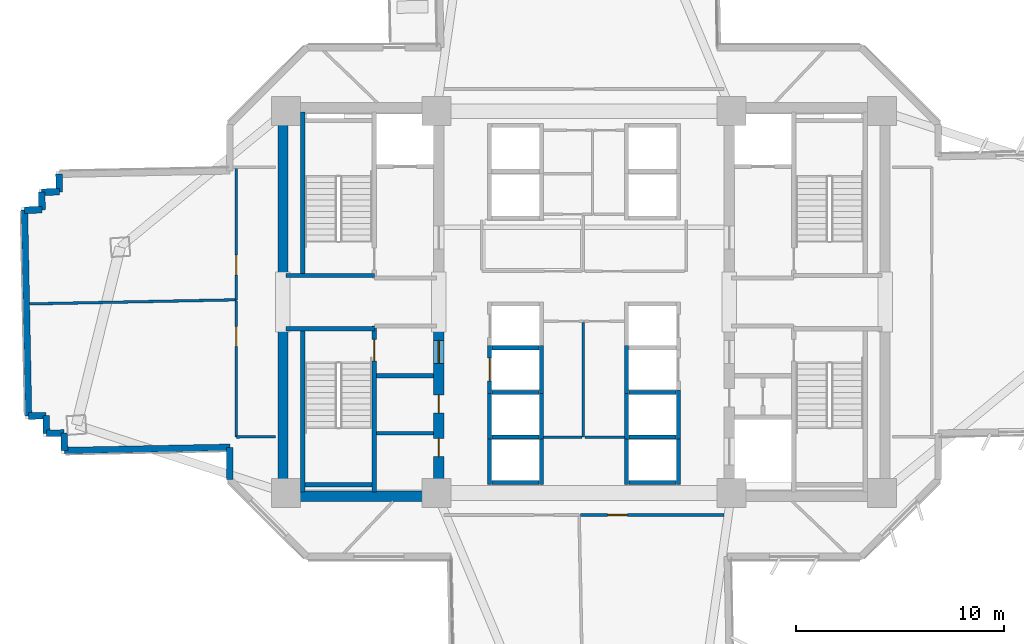
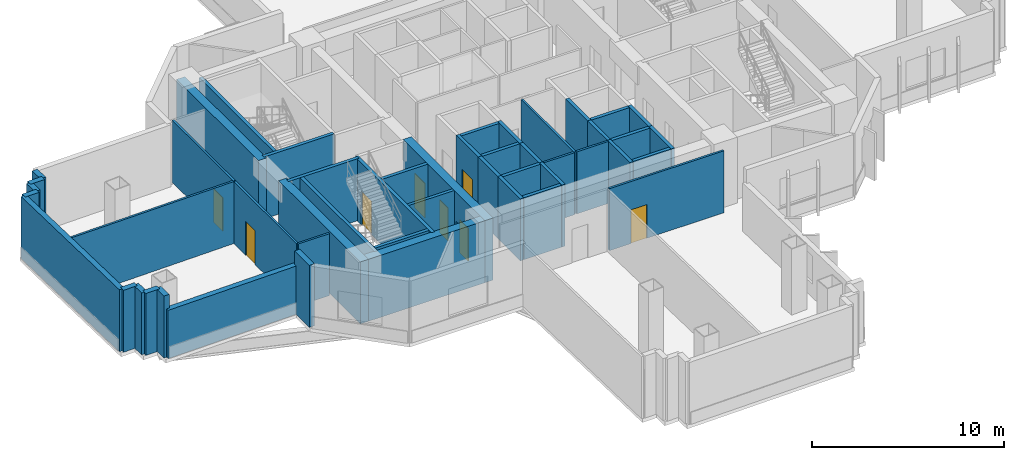
# One storey, part 6 of 15: 49 walls, 8 doors, 8 openings.
"""IFC4 building model written with IfcOpenShell, lengths in metres."""

from ifc_helpers import new_model, si_unit, direction, frame, frame_2d, origin, place, context, subcontext, project, spatial, rectangle, extrude, source, transform, mapped, material, layer, layer_set, type_object, element, fill, save


model = new_model("IFC4")

# Units and contexts
model_context = context("Model", 3, precision=1e-05, world=origin(), true_north=direction((0.0, 1.0)))
body_context = subcontext(model_context, "Body", "Model", "MODEL_VIEW")
ifc_project = project(units=[si_unit("LENGTHUNIT", "METRE"), si_unit("AREAUNIT", "SQUARE_METRE"), si_unit("VOLUMEUNIT", "CUBIC_METRE"), si_unit("PLANEANGLEUNIT", "RADIAN"), si_unit("MASSUNIT", "GRAM", prefix="KILO")], contexts=[model_context])

# Site, building, storey
site_placement = place(None, origin())
site = spatial("IfcSite", under=ifc_project, at=site_placement, CompositionType="ELEMENT")
building_placement = place(site_placement, origin())
building = spatial("IfcBuilding", under=site, at=building_placement, Name="Zahravan Cultural Tower", CompositionType="ELEMENT")
storey_placement = place(building_placement, frame((0.0, 0.0, 45.89990234375)))
storey = spatial("IfcBuildingStorey", under=building, at=storey_placement, Name="L09", CompositionType="ELEMENT", Elevation=45.89990234375)

# Wall, openings, doors
ifc_material_1 = material(Name="Concrete C60/75", Category="concrete")
ifc_layer_1 = layer(ifc_material_1, 0.5)
ifc_layer_set_1 = layer_set([ifc_layer_1], Name="Concrete C60/75")
wall_type_1 = type_object("IfcWallType", Name="CW-SHEAR-500-C60", PredefinedType="SHEAR", material=ifc_layer_set_1)
wall_1_placement = place(storey_placement, frame((29.0, 17.39990234375, 0.0), z_axis=(0.0, 0.0, 1.0), x_axis=(0.0, 1.0, 0.0)))
wall_1 = element("IfcWall", 1, at=wall_1_placement, inside=storey, type_object=wall_type_1, Name="L09 Core Shear Wall CW-W-ES-L09", PredefinedType="SHEAR", context=body_context, shape_type="SweptSolid", body=[
    extrude(rectangle(XDim=8.550048828125, YDim=0.5, at=frame_2d((4.27490234375, 0.0))), origin(), (0.0, 0.0, 1.0), 3.9501953125),
])
opening_1_placement = place(wall_1_placement, frame((6.64990234375, 0.0, 0.0)))
opening_1 = element("IfcOpeningElement", 2, at=opening_1_placement, cuts=wall_1, Name="Opening D-L09-07", PredefinedType="OPENING", context=body_context, shape_type="SweptSolid", body=[
    extrude(rectangle(XDim=1.10009765625, YDim=2.199951171875, at=frame_2d((0.550048828125, 1.10009765625))), frame((0.0, 0.260009765625, 0.0), z_axis=(0.0, -1.0, 0.0), x_axis=(1.0, 0.0, 0.0)), (0.0, 0.0, 1.0), 0.52001953125),
])
opening_2_placement = place(wall_1_placement, frame((2.14990234375, 0.0, 0.0)))
opening_2 = element("IfcOpeningElement", 3, at=opening_2_placement, cuts=wall_1, Name="Opening D-L09-09", PredefinedType="OPENING", context=body_context, shape_type="SweptSolid", body=[
    extrude(rectangle(XDim=0.8798828125, YDim=2.10009765625, at=frame_2d((0.43994140625, 1.050048828125))), frame((0.0, 0.260009765625, 0.0), z_axis=(0.0, -1.0, 0.0), x_axis=(1.0, 0.0, 0.0)), (0.0, 0.0, 1.0), 0.52001953125),
])
opening_3_placement = place(wall_1_placement, frame((4.25, 0.0, 0.0)))
opening_3 = element("IfcOpeningElement", 4, at=opening_3_placement, cuts=wall_1, Name="Opening D-L09-10", PredefinedType="OPENING", context=body_context, shape_type="SweptSolid", body=[
    extrude(rectangle(XDim=0.8798828125, YDim=2.10009765625, at=frame_2d((0.43994140625, 1.050048828125))), frame((0.0, 0.260009765625, 0.0), z_axis=(0.0, -1.0, 0.0), x_axis=(1.0, 0.0, 0.0)), (0.0, 0.0, 1.0), 0.52001953125),
])
ifc_material_2 = material(Name="Steel ASTM A572 Grade 50", Category="steel")
door_type_1 = type_object("IfcDoorType", Name="DR-LOBBY-1100", OperationType="NOTDEFINED", PredefinedType="DOOR", material=ifc_material_2)
shared_shape_1 = source(origin(), body_context, "Body", "SweptSolid", [
    extrude(rectangle(XDim=1.10009765625, YDim=2.199951171875, at=frame_2d((0.550048828125, 1.10009765625))), frame((0.0, 0.02490234375, 0.0), z_axis=(0.0, -1.0, 0.0), x_axis=(1.0, 0.0, 0.0)), (0.0, 0.0, 1.0), 0.050048828125),
])
door_1_placement = place(opening_1_placement, origin())
door_1 = element("IfcDoor", 5, at=door_1_placement, inside=storey, type_object=door_type_1, Name="L09 Door D-L09-07", OperationType="SINGLE_SWING_LEFT", OverallHeight=2.199951171875, OverallWidth=1.10009765625, PredefinedType="DOOR", context=body_context, shape_type="MappedRepresentation", body=[
    mapped(shared_shape_1, transform((0.0, 0.0, 0.0), x_axis=(1.0, 0.0, 0.0), y_axis=(0.0, 1.0, 0.0), z_axis=(0.0, 0.0, 1.0), scale=1.0)),
])
fill(opening_1, door_1)
door_type_2 = type_object("IfcDoorType", Name="DR-SVC-880", OperationType="NOTDEFINED", PredefinedType="DOOR", material=ifc_material_2)
shared_shape_2 = source(origin(), body_context, "Body", "SweptSolid", [
    extrude(rectangle(XDim=0.8798828125, YDim=2.10009765625, at=frame_2d((0.43994140625, 1.050048828125))), frame((0.0, 0.02490234375, 0.0), z_axis=(0.0, -1.0, 0.0), x_axis=(1.0, 0.0, 0.0)), (0.0, 0.0, 1.0), 0.050048828125),
])
door_2_placement = place(opening_2_placement, origin())
door_2 = element("IfcDoor", 6, at=door_2_placement, inside=storey, type_object=door_type_2, Name="L09 Door D-L09-09", OperationType="SINGLE_SWING_LEFT", OverallHeight=2.10009765625, OverallWidth=0.8798828125, PredefinedType="DOOR", context=body_context, shape_type="MappedRepresentation", body=[
    mapped(shared_shape_2, transform((0.0, 0.0, 0.0), x_axis=(1.0, 0.0, 0.0), y_axis=(0.0, 1.0, 0.0), z_axis=(0.0, 0.0, 1.0), scale=1.0)),
])
fill(opening_2, door_2)
door_3_placement = place(opening_3_placement, origin())
door_3 = element("IfcDoor", 7, at=door_3_placement, inside=storey, type_object=door_type_2, Name="L09 Door D-L09-10", OperationType="SINGLE_SWING_RIGHT", OverallHeight=2.10009765625, OverallWidth=0.8798828125, PredefinedType="DOOR", context=body_context, shape_type="MappedRepresentation", body=[
    mapped(shared_shape_2, transform((0.0, 0.0, 0.0), x_axis=(1.0, 0.0, 0.0), y_axis=(0.0, 1.0, 0.0), z_axis=(0.0, 0.0, 1.0), scale=1.0)),
])
fill(opening_3, door_3)

# Wall, opening, door
ifc_material_3 = material(Name="Gypsum plasterboard partition")
ifc_layer_2 = layer(ifc_material_3, 0.125)
ifc_layer_set_2 = layer_set([ifc_layer_2], Name="Gypsum plasterboard partition")
wall_type_2 = type_object("IfcWallType", Name="W-PART-125", PredefinedType="PARTITIONING", material=ifc_layer_set_2)
wall_2_placement = place(storey_placement, frame((19.25048828125, 33.496337890625, 0.0), z_axis=(0.0, 0.0, 1.0), x_axis=(-7.6417545e-05, -0.99999999708, 0.0)))
wall_2 = element("IfcWall", 8, at=wall_2_placement, inside=storey, type_object=wall_type_2, Name="L09 Interior Wall 085", PredefinedType="PARTITIONING", context=body_context, shape_type="SweptSolid", body=[
    extrude(rectangle(XDim=6.3896484375, YDim=0.125, at=frame_2d((3.19482421875, 0.0))), origin(), (0.0, 0.0, 1.0), 3.9501953125),
])
opening_4_placement = place(wall_2_placement, frame((4.242919921875, 0.0, 0.0)))
opening_4 = element("IfcOpeningElement", 9, at=opening_4_placement, cuts=wall_2, Name="Opening D-L09-21", PredefinedType="OPENING", context=body_context, shape_type="SweptSolid", body=[
    extrude(rectangle(XDim=0.949951171875, YDim=2.14990234375, at=frame_2d((0.47509765625, 1.074951171875))), frame((0.0, 0.072509765625, 0.0), z_axis=(0.0, -1.0, 0.0), x_axis=(1.0, 0.0, 0.0)), (0.0, 0.0, 1.0), 0.14501953125),
])
ifc_material_4 = material(Name="Anodised bronze-aluminium mullion", Category="aluminium")
door_type_3 = type_object("IfcDoorType", Name="DR-ROOM-950", OperationType="NOTDEFINED", PredefinedType="DOOR", material=ifc_material_4)
shared_shape_3 = source(origin(), body_context, "Body", "SweptSolid", [
    extrude(rectangle(XDim=0.949951171875, YDim=2.14990234375, at=frame_2d((0.47509765625, 1.074951171875))), frame((0.0, 0.02490234375, 0.0), z_axis=(0.0, -1.0, 0.0), x_axis=(1.0, 0.0, 0.0)), (0.0, 0.0, 1.0), 0.050048828125),
])
door_4_placement = place(opening_4_placement, origin())
door_4 = element("IfcDoor", 10, at=door_4_placement, inside=storey, type_object=door_type_3, Name="L09 Door D-L09-21", OperationType="SINGLE_SWING_LEFT", OverallHeight=2.14990234375, OverallWidth=0.949951171875, PredefinedType="DOOR", context=body_context, shape_type="MappedRepresentation", body=[
    mapped(shared_shape_3, transform((0.0, 0.0, 0.0), x_axis=(1.0, 0.0, 0.0), y_axis=(0.0, 1.0, 0.0), z_axis=(0.0, 0.0, 1.0), scale=1.0)),
])
fill(opening_4, door_4)

wall_3_placement = place(storey_placement, frame((19.25, 27.039306640625, 0.0), z_axis=(0.0, 0.0, 1.0), x_axis=(0.0, -1.0, 0.0)))
wall_3 = element("IfcWall", 11, at=wall_3_placement, inside=storey, type_object=wall_type_2, Name="L09 Interior Wall 090", PredefinedType="PARTITIONING", context=body_context, shape_type="SweptSolid", body=[
    extrude(rectangle(XDim=6.533447265625, YDim=0.125, at=frame_2d((3.2666015625, 0.0))), origin(), (0.0, 0.0, 1.0), 3.9501953125),
])
opening_5_placement = place(wall_3_placement, frame((1.228271484375, 0.0, 0.0)))
opening_5 = element("IfcOpeningElement", 12, at=opening_5_placement, cuts=wall_3, Name="Opening D-L09-22", PredefinedType="OPENING", context=body_context, shape_type="SweptSolid", body=[
    extrude(rectangle(XDim=0.949951171875, YDim=2.14990234375, at=frame_2d((0.47509765625, 1.074951171875))), frame((0.0, 0.072509765625, 0.0), z_axis=(0.0, -1.0, 0.0), x_axis=(1.0, 0.0, 0.0)), (0.0, 0.0, 1.0), 0.14501953125),
])
door_5_placement = place(opening_5_placement, origin())
door_5 = element("IfcDoor", 13, at=door_5_placement, inside=storey, type_object=door_type_3, Name="L09 Door D-L09-22", OperationType="SINGLE_SWING_RIGHT", OverallHeight=2.14990234375, OverallWidth=0.949951171875, PredefinedType="DOOR", context=body_context, shape_type="MappedRepresentation", body=[
    mapped(shared_shape_3, transform((0.0, 0.0, 0.0), x_axis=(1.0, 0.0, 0.0), y_axis=(0.0, 1.0, 0.0), z_axis=(0.0, 0.0, 1.0), scale=1.0)),
])
fill(opening_5, door_5)

wall_4_placement = place(storey_placement, frame((35.83154296875, 16.739990234375, 0.0), z_axis=(0.0, 0.0, 1.0), x_axis=(0.999999999376, 3.5326951e-05, 0.0)))
wall_4 = element("IfcWall", 14, at=wall_4_placement, inside=storey, type_object=wall_type_2, Name="L09 Interior Wall 096", PredefinedType="PARTITIONING", context=body_context, shape_type="SweptSolid", body=[
    extrude(rectangle(XDim=6.910888671875, YDim=0.125, at=frame_2d((3.45556640625, 0.0))), origin(), (0.0, 0.0, 1.0), 3.9501953125),
])
opening_6_placement = place(wall_4_placement, frame((1.311279296875, 0.0, 0.0)))
opening_6 = element("IfcOpeningElement", 15, at=opening_6_placement, cuts=wall_4, Name="Opening D-L09-24", PredefinedType="OPENING", context=body_context, shape_type="SweptSolid", body=[
    extrude(rectangle(XDim=0.949951171875, YDim=2.14990234375, at=frame_2d((0.47509765625, 1.074951171875))), frame((0.0, 0.072509765625, 0.0), z_axis=(0.0, -1.0, 0.0), x_axis=(1.0, 0.0, 0.0)), (0.0, 0.0, 1.0), 0.14501953125),
])
door_6_placement = place(opening_6_placement, origin())
door_6 = element("IfcDoor", 16, at=door_6_placement, inside=storey, type_object=door_type_3, Name="L09 Door D-L09-24", OperationType="SINGLE_SWING_RIGHT", OverallHeight=2.14990234375, OverallWidth=0.949951171875, PredefinedType="DOOR", context=body_context, shape_type="MappedRepresentation", body=[
    mapped(shared_shape_3, transform((0.0, 0.0, 0.0), x_axis=(1.0, 0.0, 0.0), y_axis=(0.0, 1.0, 0.0), z_axis=(0.0, 0.0, 1.0), scale=1.0)),
])
fill(opening_6, door_6)

ifc_material_5 = material(Name="Concrete C45/55", Category="concrete")
ifc_layer_3 = layer(ifc_material_5, 0.199951171875)
ifc_layer_set_3 = layer_set([ifc_layer_3], Name="Concrete C45/55")
wall_type_3 = type_object("IfcWallType", Name="W-SHAFT-200", PredefinedType="SOLIDWALL", material=ifc_layer_set_3)
wall_5_placement = place(storey_placement, frame((25.89990234375, 17.85009765625, 0.0), z_axis=(0.0, 0.0, 1.0), x_axis=(0.0, 1.0, 0.0)))
wall_5 = element("IfcWall", 17, at=wall_5_placement, inside=storey, type_object=wall_type_3, Name="L09 Interior Wall 005", PredefinedType="SOLIDWALL", context=body_context, shape_type="SweptSolid", body=[
    extrude(rectangle(XDim=8.0, YDim=0.199951171875, at=frame_2d((4.0, 0.0))), origin(), (0.0, 0.0, 1.0), 3.9501953125),
])
opening_7_placement = place(wall_5_placement, frame((6.300048828125, 0.0, 0.0)))
opening_7 = element("IfcOpeningElement", 18, at=opening_7_placement, cuts=wall_5, Name="Opening D-L09-04", PredefinedType="OPENING", context=body_context, shape_type="SweptSolid", body=[
    extrude(rectangle(XDim=1.050048828125, YDim=2.14990234375, at=frame_2d((0.52490234375, 1.074951171875))), frame((0.0, 0.10986328125, 0.0), z_axis=(0.0, -1.0, 0.0), x_axis=(1.0, 0.0, 0.0)), (0.0, 0.0, 1.0), 0.219970703125),
])
door_type_4 = type_object("IfcDoorType", Name="DR-STAIR-1050", OperationType="NOTDEFINED", PredefinedType="DOOR", material=ifc_material_2)
shared_shape_4 = source(origin(), body_context, "Body", "SweptSolid", [
    extrude(rectangle(XDim=1.050048828125, YDim=2.14990234375, at=frame_2d((0.52490234375, 1.074951171875))), frame((0.0, 0.02490234375, 0.0), z_axis=(0.0, -1.0, 0.0), x_axis=(1.0, 0.0, 0.0)), (0.0, 0.0, 1.0), 0.050048828125),
])
door_7_placement = place(opening_7_placement, origin())
door_7 = element("IfcDoor", 19, at=door_7_placement, inside=storey, type_object=door_type_4, Name="L09 Door D-L09-04", OperationType="SINGLE_SWING_RIGHT", OverallHeight=2.14990234375, OverallWidth=1.050048828125, PredefinedType="DOOR", context=body_context, shape_type="MappedRepresentation", body=[
    mapped(shared_shape_4, transform((0.0, 0.0, 0.0), x_axis=(1.0, 0.0, 0.0), y_axis=(0.0, 1.0, 0.0), z_axis=(0.0, 0.0, 1.0), scale=1.0)),
])
fill(opening_7, door_7)

wall_6_placement = place(storey_placement, frame((31.449951171875, 22.60009765625, 0.0), z_axis=(0.0, 0.0, 1.0), x_axis=(0.0, 1.0, 0.0)))
wall_6 = element("IfcWall", 20, at=wall_6_placement, inside=storey, type_object=wall_type_3, Name="L09 Interior Wall 060", PredefinedType="SOLIDWALL", context=body_context, shape_type="SweptSolid", body=[
    extrude(rectangle(XDim=2.2998046875, YDim=0.199951171875, at=frame_2d((1.14990234375, 0.0))), origin(), (0.0, 0.0, 1.0), 3.9501953125),
])
opening_8_placement = place(wall_6_placement, frame((0.60009765625, 0.0, 0.0)))
opening_8 = element("IfcOpeningElement", 21, at=opening_8_placement, cuts=wall_6, Name="Opening LD-L09-05", PredefinedType="OPENING", context=body_context, shape_type="SweptSolid", body=[
    extrude(rectangle(XDim=1.10009765625, YDim=2.14990234375, at=frame_2d((0.550048828125, 1.074951171875))), frame((0.0, 0.10986328125, 0.0), z_axis=(0.0, -1.0, 0.0), x_axis=(1.0, 0.0, 0.0)), (0.0, 0.0, 1.0), 0.219970703125),
])
door_type_5 = type_object("IfcDoorType", Name="DR-LIFT-1100", OperationType="DOUBLE_DOOR_SLIDING", PredefinedType="DOOR", material=ifc_material_2)
shared_shape_5 = source(origin(), body_context, "Body", "SweptSolid", [
    extrude(rectangle(XDim=1.10009765625, YDim=2.14990234375, at=frame_2d((0.550048828125, 1.074951171875))), frame((0.0, 0.02490234375, 0.0), z_axis=(0.0, -1.0, 0.0), x_axis=(1.0, 0.0, 0.0)), (0.0, 0.0, 1.0), 0.050048828125),
])
door_8_placement = place(opening_8_placement, origin())
door_8 = element("IfcDoor", 22, at=door_8_placement, inside=storey, type_object=door_type_5, Name="L09 Door LD-L09-05", OperationType="DOUBLE_DOOR_SLIDING", OverallHeight=2.14990234375, OverallWidth=1.10009765625, PredefinedType="DOOR", context=body_context, shape_type="MappedRepresentation", body=[
    mapped(shared_shape_5, transform((0.0, 0.0, 0.0), x_axis=(1.0, 0.0, 0.0), y_axis=(0.0, 1.0, 0.0), z_axis=(0.0, 0.0, 1.0), scale=1.0)),
])
fill(opening_8, door_8)

# Walls
shared_shape_6 = source(origin(), body_context, "Body", "SweptSolid", [
    extrude(rectangle(XDim=8.550048828125, YDim=0.5, at=frame_2d((4.27490234375, 0.0))), origin(), (0.0, 0.0, 1.0), 3.9501953125),
])
for number, where, z_axis, x_axis, name in (
    (23, (21.5, 17.39990234375, 0.0), (0.0, 0.0, 1.0), (0.0, 1.0, 0.0), "L09 Core Shear Wall CW-W-WS-L09"),
    (24, (21.5, 28.050048828125, 0.0), (0.0, 0.0, 1.0), (0.0, 1.0, 0.0), "L09 Core Shear Wall CW-W-WN-L09"),
):
    element("IfcWall", number, at=place(storey_placement, frame(where, z_axis=z_axis, x_axis=x_axis)), inside=storey, type_object=wall_type_1, Name=name, PredefinedType="SHEAR", context=body_context, shape_type="MappedRepresentation", body=[
        mapped(shared_shape_6, transform((0.0, 0.0, 0.0), x_axis=(1.0, 0.0, 0.0), y_axis=(0.0, 1.0, 0.0), z_axis=(0.0, 0.0, 1.0), scale=1.0)),
    ])
shared_shape_7 = source(origin(), body_context, "Body", "SweptSolid", [
    extrude(rectangle(XDim=7.0, YDim=0.5, at=frame_2d((3.5, 0.0))), origin(), (0.0, 0.0, 1.0), 3.9501953125),
])
wall_7_placement = place(storey_placement, frame((21.75, 17.64990234375, 0.0), z_axis=(0.0, 0.0, 1.0), x_axis=(1.0, 0.0, 0.0)))
element("IfcWall", 25, at=wall_7_placement, inside=storey, type_object=wall_type_1, Name="L09 Core Shear Wall CW-W-S-L09", PredefinedType="SHEAR", context=body_context, shape_type="MappedRepresentation", body=[
    mapped(shared_shape_7, transform((0.0, 0.0, 0.0), x_axis=(1.0, 0.0, 0.0), y_axis=(0.0, 1.0, 0.0), z_axis=(0.0, 0.0, 1.0), scale=1.0)),
])
ifc_material_6 = material(Name="Precast concrete C40/50", Category="concrete")
ifc_layer_4 = layer(ifc_material_6, 0.320068359375)
ifc_layer_set_4 = layer_set([ifc_layer_4], Name="Precast concrete C40/50")
wall_type_4 = type_object("IfcWallType", Name="EW-TC-320", PredefinedType="SOLIDWALL", material=ifc_layer_set_4)
shared_shape_8 = source(origin(), body_context, "Body", "SweptSolid", [
    extrude(rectangle(XDim=7.9638671875, YDim=0.320068359375, at=frame_2d((3.98193359375, 0.0))), origin(), (0.0, 0.0, 1.0), 3.080078125),
])
wall_8_placement = place(storey_placement, frame((18.93994140625, 19.999267578125, 0.0), z_axis=(0.0, 0.0, 1.0), x_axis=(-0.999802065132, -0.019895490902, 0.0)))
element("IfcWall", 26, at=wall_8_placement, inside=storey, type_object=wall_type_4, Name="L09 Exterior Masonry Frame Wall 28", PredefinedType="SOLIDWALL", context=body_context, shape_type="MappedRepresentation", body=[
    mapped(shared_shape_8, transform((0.0, 0.0, 0.0), x_axis=(1.0, 0.0, 0.0), y_axis=(0.0, 1.0, 0.0), z_axis=(0.0, 0.0, 1.0), scale=1.0)),
])
shared_shape_9 = source(origin(), body_context, "Body", "SweptSolid", [
    extrude(rectangle(XDim=0.85009765625, YDim=0.320068359375, at=frame_2d((0.425048828125, 0.0))), origin(), (0.0, 0.0, 1.0), 3.9501953125),
])
for number, where, z_axis, x_axis, name in (
    (27, (10.9775390625, 19.8408203125, 0.0), (0.0, 0.0, 1.0), (-0.019817997326, 0.999803604205, 0.0), "L09 Exterior Masonry Frame Wall 29"),
    (28, (10.960693359375, 20.690673828125, 0.0), (0.0, 0.0, 1.0), (-0.999797872061, -0.020105099409, 0.0), "L09 Exterior Masonry Frame Wall 30"),
    (29, (10.11083984375, 20.673583984375, 0.0), (0.0, 0.0, 1.0), (-0.020105099409, 0.999797872061, 0.0), "L09 Exterior Masonry Frame Wall 31"),
    (30, (10.09375, 21.5234375, 0.0), (0.0, 0.0, 1.0), (-0.999803604205, -0.019817997326, 0.0), "L09 Exterior Masonry Frame Wall 32"),
    (31, (9.046630859375, 31.424560546875, 0.0), (0.0, 0.0, 1.0), (0.999803604205, 0.019817997326, 0.0), "L09 Exterior Masonry Frame Wall 34"),
    (32, (9.879638671875, 32.29150390625, 0.0), (0.0, 0.0, 1.0), (0.999803604205, 0.019817997326, 0.0), "L09 Exterior Masonry Frame Wall 36"),
    (33, (10.7294921875, 32.308349609375, 0.0), (0.0, 0.0, 1.0), (-0.020105099409, 0.999797872061, 0.0), "L09 Exterior Masonry Frame Wall 37"),
):
    element("IfcWall", number, at=place(storey_placement, frame(where, z_axis=z_axis, x_axis=x_axis)), inside=storey, type_object=wall_type_4, Name=name, PredefinedType="SOLIDWALL", context=body_context, shape_type="MappedRepresentation", body=[
        mapped(shared_shape_9, transform((0.0, 0.0, 0.0), x_axis=(1.0, 0.0, 0.0), y_axis=(0.0, 1.0, 0.0), z_axis=(0.0, 0.0, 1.0), scale=1.0)),
    ])
shared_shape_10 = source(origin(), body_context, "Body", "SweptSolid", [
    extrude(rectangle(XDim=0.850341796875, YDim=0.320068359375, at=frame_2d((0.42529296875, 0.0))), origin(), (0.0, 0.0, 1.0), 3.9501953125),
])
wall_9_placement = place(storey_placement, frame((9.896484375, 31.44140625, 0.0), z_axis=(0.0, 0.0, 1.0), x_axis=(-0.019812308004, 0.999803716962, 0.0)))
element("IfcWall", 34, at=wall_9_placement, inside=storey, type_object=wall_type_4, Name="L09 Exterior Masonry Frame Wall 35", PredefinedType="SOLIDWALL", context=body_context, shape_type="MappedRepresentation", body=[
    mapped(shared_shape_10, transform((0.0, 0.0, 0.0), x_axis=(1.0, 0.0, 0.0), y_axis=(0.0, 1.0, 0.0), z_axis=(0.0, 0.0, 1.0), scale=1.0)),
])
shared_shape_11 = source(origin(), body_context, "Body", "SweptSolid", [
    extrude(rectangle(XDim=9.919921875, YDim=0.320068359375, at=frame_2d((4.9599609375, 0.0))), origin(), (0.0, 0.0, 1.0), 3.9501953125),
])
wall_10_placement = place(storey_placement, frame((9.243896484375, 21.506591796875, 0.0), z_axis=(0.0, 0.0, 1.0), x_axis=(-0.019885787333, 0.99980225818, 0.0)))
element("IfcWall", 35, at=wall_10_placement, inside=storey, type_object=wall_type_4, Name="L09 Exterior Masonry Frame Wall 33", PredefinedType="SOLIDWALL", context=body_context, shape_type="MappedRepresentation", body=[
    mapped(shared_shape_11, transform((0.0, 0.0, 0.0), x_axis=(1.0, 0.0, 0.0), y_axis=(0.0, 1.0, 0.0), z_axis=(0.0, 0.0, 1.0), scale=1.0)),
])
shared_shape_12 = source(origin(), body_context, "Body", "SweptSolid", [
    extrude(rectangle(XDim=1.541259765625, YDim=0.320068359375, at=frame_2d((0.7705078125, 0.0))), origin(), (0.0, 0.0, 1.0), 3.9501953125),
])
wall_11_placement = place(storey_placement, frame((18.93994140625, 18.4580078125, 0.0), z_axis=(0.0, 0.0, 1.0), x_axis=(0.0, 1.0, 0.0)))
element("IfcWall", 36, at=wall_11_placement, inside=storey, type_object=wall_type_4, Name="L09 Exterior Masonry Frame Wall 27", PredefinedType="SOLIDWALL", context=body_context, shape_type="MappedRepresentation", body=[
    mapped(shared_shape_12, transform((0.0, 0.0, 0.0), x_axis=(1.0, 0.0, 0.0), y_axis=(0.0, 1.0, 0.0), z_axis=(0.0, 0.0, 1.0), scale=1.0)),
])
shared_shape_13 = source(origin(), body_context, "Body", "SweptSolid", [
    extrude(rectangle(XDim=7.869873046875, YDim=0.199951171875, at=frame_2d((3.93505859375, 0.0))), origin(), (0.0, 0.0, 1.0), 3.9501953125),
])
for number, where, z_axis, x_axis, name in (
    (37, (22.449951171875, 17.85009765625, 0.0), (0.0, 0.0, 1.0), (0.0, 1.0, 0.0), "L09 Interior Wall 001"),
    (38, (22.449951171875, 28.280029296875, 0.0), (0.0, 0.0, 1.0), (0.0, 1.0, 0.0), "L09 Interior Wall 002"),
):
    element("IfcWall", number, at=place(storey_placement, frame(where, z_axis=z_axis, x_axis=x_axis)), inside=storey, type_object=wall_type_3, Name=name, PredefinedType="SOLIDWALL", context=body_context, shape_type="MappedRepresentation", body=[
        mapped(shared_shape_13, transform((0.0, 0.0, 0.0), x_axis=(1.0, 0.0, 0.0), y_axis=(0.0, 1.0, 0.0), z_axis=(0.0, 0.0, 1.0), scale=1.0)),
    ])
shared_shape_14 = source(origin(), body_context, "Body", "SweptSolid", [
    extrude(rectangle(XDim=4.25, YDim=0.199951171875, at=frame_2d((2.125, 0.0))), origin(), (0.0, 0.0, 1.0), 3.9501953125),
])
for number, where, z_axis, x_axis, name in (
    (39, (21.64990234375, 25.715087890625, 0.0), (0.0, 0.0, 1.0), (1.0, 0.0, 0.0), "L09 Interior Wall 009"),
    (40, (21.64990234375, 28.284912109375, 0.0), (0.0, 0.0, 1.0), (1.0, 0.0, 0.0), "L09 Interior Wall 011"),
):
    element("IfcWall", number, at=place(storey_placement, frame(where, z_axis=z_axis, x_axis=x_axis)), inside=storey, type_object=wall_type_3, Name=name, PredefinedType="SOLIDWALL", context=body_context, shape_type="MappedRepresentation", body=[
        mapped(shared_shape_14, transform((0.0, 0.0, 0.0), x_axis=(1.0, 0.0, 0.0), y_axis=(0.0, 1.0, 0.0), z_axis=(0.0, 0.0, 1.0), scale=1.0)),
    ])
shared_shape_15 = source(origin(), body_context, "Body", "SweptSolid", [
    extrude(rectangle(XDim=3.25, YDim=0.199951171875, at=frame_2d((1.625, 0.0))), origin(), (0.0, 0.0, 1.0), 3.9501953125),
])
wall_12_placement = place(storey_placement, frame((22.550048828125, 18.199951171875, 0.0), z_axis=(0.0, 0.0, 1.0), x_axis=(1.0, 0.0, 0.0)))
element("IfcWall", 41, at=wall_12_placement, inside=storey, type_object=wall_type_3, Name="L09 Interior Wall 019", PredefinedType="SOLIDWALL", context=body_context, shape_type="MappedRepresentation", body=[
    mapped(shared_shape_15, transform((0.0, 0.0, 0.0), x_axis=(1.0, 0.0, 0.0), y_axis=(0.0, 1.0, 0.0), z_axis=(0.0, 0.0, 1.0), scale=1.0)),
])
shared_shape_16 = source(origin(), body_context, "Body", "SweptSolid", [
    extrude(rectangle(XDim=2.75, YDim=0.199951171875, at=frame_2d((1.375, 0.0))), origin(), (0.0, 0.0, 1.0), 3.9501953125),
])
wall_13_placement = place(storey_placement, frame((26.0, 23.449951171875, 0.0), z_axis=(0.0, 0.0, 1.0), x_axis=(1.0, 0.0, 0.0)))
element("IfcWall", 42, at=wall_13_placement, inside=storey, type_object=wall_type_3, Name="L09 Interior Wall 023", PredefinedType="SOLIDWALL", context=body_context, shape_type="MappedRepresentation", body=[
    mapped(shared_shape_16, transform((0.0, 0.0, 0.0), x_axis=(1.0, 0.0, 0.0), y_axis=(0.0, 1.0, 0.0), z_axis=(0.0, 0.0, 1.0), scale=1.0)),
])
ifc_layer_5 = layer(ifc_material_3, 0.179931640625)
ifc_layer_set_5 = layer_set([ifc_layer_5], Name="Gypsum plasterboard partition")
wall_type_5 = type_object("IfcWallType", Name="W-COMP-180", PredefinedType="PARTITIONING", material=ifc_layer_set_5)
shared_shape_17 = source(origin(), body_context, "Body", "SweptSolid", [
    extrude(rectangle(XDim=2.75, YDim=0.179931640625, at=frame_2d((1.375, 0.0))), origin(), (0.0, 0.0, 1.0), 3.9501953125),
])
wall_14_placement = place(storey_placement, frame((26.0, 20.679931640625, 0.0), z_axis=(0.0, 0.0, 1.0), x_axis=(1.0, 0.0, 0.0)))
element("IfcWall", 43, at=wall_14_placement, inside=storey, type_object=wall_type_5, Name="L09 Interior Wall 026", PredefinedType="PARTITIONING", context=body_context, shape_type="MappedRepresentation", body=[
    mapped(shared_shape_17, transform((0.0, 0.0, 0.0), x_axis=(1.0, 0.0, 0.0), y_axis=(0.0, 1.0, 0.0), z_axis=(0.0, 0.0, 1.0), scale=1.0)),
])
shared_shape_18 = source(origin(), body_context, "Body", "SweptSolid", [
    extrude(rectangle(XDim=2.260009765625, YDim=0.199951171875, at=frame_2d((1.1298828125, 0.0))), origin(), (0.0, 0.0, 1.0), 3.9501953125),
])
for number, where, z_axis, x_axis, name in (
    (44, (31.570068359375, 20.5, 0.0), (0.0, 0.0, 1.0), (1.0, 0.0, 0.0), "L09 Interior Wall 044"),
    (45, (31.570068359375, 22.64990234375, 0.0), (0.0, 0.0, 1.0), (1.0, 0.0, 0.0), "L09 Interior Wall 045"),
    (46, (31.570068359375, 18.300048828125, 0.0), (0.0, 0.0, 1.0), (1.0, 0.0, 0.0), "L09 Interior Wall 048"),
    (47, (38.169921875, 20.5, 0.0), (0.0, 0.0, 1.0), (1.0, 0.0, 0.0), "L09 Interior Wall 051"),
    (48, (38.169921875, 22.64990234375, 0.0), (0.0, 0.0, 1.0), (1.0, 0.0, 0.0), "L09 Interior Wall 052"),
    (49, (38.169921875, 18.300048828125, 0.0), (0.0, 0.0, 1.0), (1.0, 0.0, 0.0), "L09 Interior Wall 055"),
    (50, (31.570068359375, 24.800048828125, 0.0), (0.0, 0.0, 1.0), (1.0, 0.0, 0.0), "L09 Interior Wall 058"),
):
    element("IfcWall", number, at=place(storey_placement, frame(where, z_axis=z_axis, x_axis=x_axis)), inside=storey, type_object=wall_type_3, Name=name, PredefinedType="SOLIDWALL", context=body_context, shape_type="MappedRepresentation", body=[
        mapped(shared_shape_18, transform((0.0, 0.0, 0.0), x_axis=(1.0, 0.0, 0.0), y_axis=(0.0, 1.0, 0.0), z_axis=(0.0, 0.0, 1.0), scale=1.0)),
    ])
shared_shape_19 = source(origin(), body_context, "Body", "SweptSolid", [
    extrude(rectangle(XDim=2.35009765625, YDim=0.199951171875, at=frame_2d((1.175048828125, 0.0))), origin(), (0.0, 0.0, 1.0), 3.9501953125),
])
for number, where, z_axis, x_axis, name in (
    (51, (31.449951171875, 20.39990234375, 0.0), (0.0, 0.0, 1.0), (0.0, 1.0, 0.0), "L09 Interior Wall 042"),
    (52, (33.949951171875, 20.39990234375, 0.0), (0.0, 0.0, 1.0), (0.0, 1.0, 0.0), "L09 Interior Wall 043"),
    (53, (31.449951171875, 18.199951171875, 0.0), (0.0, 0.0, 1.0), (0.0, 1.0, 0.0), "L09 Interior Wall 046"),
    (54, (33.949951171875, 18.199951171875, 0.0), (0.0, 0.0, 1.0), (0.0, 1.0, 0.0), "L09 Interior Wall 047"),
    (55, (38.050048828125, 20.39990234375, 0.0), (0.0, 0.0, 1.0), (0.0, 1.0, 0.0), "L09 Interior Wall 049"),
    (56, (40.550048828125, 20.39990234375, 0.0), (0.0, 0.0, 1.0), (0.0, 1.0, 0.0), "L09 Interior Wall 050"),
    (57, (38.050048828125, 18.199951171875, 0.0), (0.0, 0.0, 1.0), (0.0, 1.0, 0.0), "L09 Interior Wall 053"),
    (58, (40.550048828125, 18.199951171875, 0.0), (0.0, 0.0, 1.0), (0.0, 1.0, 0.0), "L09 Interior Wall 054"),
):
    element("IfcWall", number, at=place(storey_placement, frame(where, z_axis=z_axis, x_axis=x_axis)), inside=storey, type_object=wall_type_3, Name=name, PredefinedType="SOLIDWALL", context=body_context, shape_type="MappedRepresentation", body=[
        mapped(shared_shape_19, transform((0.0, 0.0, 0.0), x_axis=(1.0, 0.0, 0.0), y_axis=(0.0, 1.0, 0.0), z_axis=(0.0, 0.0, 1.0), scale=1.0)),
    ])
shared_shape_20 = source(origin(), body_context, "Body", "SweptSolid", [
    extrude(rectangle(XDim=2.2998046875, YDim=0.199951171875, at=frame_2d((1.14990234375, 0.0))), origin(), (0.0, 0.0, 1.0), 3.9501953125),
])
for number, where, z_axis, x_axis, name in (
    (59, (33.949951171875, 22.60009765625, 0.0), (0.0, 0.0, 1.0), (0.0, 1.0, 0.0), "L09 Interior Wall 061"),
    (60, (38.050048828125, 22.60009765625, 0.0), (0.0, 0.0, 1.0), (0.0, 1.0, 0.0), "L09 Interior Wall 066"),
):
    element("IfcWall", number, at=place(storey_placement, frame(where, z_axis=z_axis, x_axis=x_axis)), inside=storey, type_object=wall_type_3, Name=name, PredefinedType="SOLIDWALL", context=body_context, shape_type="MappedRepresentation", body=[
        mapped(shared_shape_20, transform((0.0, 0.0, 0.0), x_axis=(1.0, 0.0, 0.0), y_axis=(0.0, 1.0, 0.0), z_axis=(0.0, 0.0, 1.0), scale=1.0)),
    ])
shared_shape_21 = source(origin(), body_context, "Body", "SweptSolid", [
    extrude(rectangle(XDim=5.5224609375, YDim=0.125, at=frame_2d((2.76123046875, 0.0))), origin(), (0.0, 0.0, 1.0), 3.9501953125),
])
wall_15_placement = place(storey_placement, frame((35.969970703125, 26.012451171875, 0.0), z_axis=(0.0, 0.0, 1.0), x_axis=(0.0, -1.0, 0.0)))
element("IfcWall", 61, at=wall_15_placement, inside=storey, type_object=wall_type_2, Name="L09 Interior Wall 076", PredefinedType="PARTITIONING", context=body_context, shape_type="MappedRepresentation", body=[
    mapped(shared_shape_21, transform((0.0, 0.0, 0.0), x_axis=(1.0, 0.0, 0.0), y_axis=(0.0, 1.0, 0.0), z_axis=(0.0, 0.0, 1.0), scale=1.0)),
])
shared_shape_22 = source(origin(), body_context, "Body", "SweptSolid", [
    extrude(rectangle(XDim=1.84765625, YDim=0.125, at=frame_2d((0.923828125, 0.0))), origin(), (0.0, 0.0, 1.0), 3.9501953125),
])
wall_16_placement = place(storey_placement, frame((35.902587890625, 20.489990234375, 0.0), z_axis=(0.0, 0.0, 1.0), x_axis=(-1.0, 0.0, 0.0)))
element("IfcWall", 62, at=wall_16_placement, inside=storey, type_object=wall_type_2, Name="L09 Interior Wall 077", PredefinedType="PARTITIONING", context=body_context, shape_type="MappedRepresentation", body=[
    mapped(shared_shape_22, transform((0.0, 0.0, 0.0), x_axis=(1.0, 0.0, 0.0), y_axis=(0.0, 1.0, 0.0), z_axis=(0.0, 0.0, 1.0), scale=1.0)),
])
shared_shape_23 = source(origin(), body_context, "Body", "SweptSolid", [
    extrude(rectangle(XDim=1.907470703125, YDim=0.125, at=frame_2d((0.95361328125, 0.0))), origin(), (0.0, 0.0, 1.0), 3.9501953125),
])
wall_17_placement = place(storey_placement, frame((37.945068359375, 20.489990234375, 0.0), z_axis=(0.0, 0.0, 1.0), x_axis=(-1.0, 0.0, 0.0)))
element("IfcWall", 63, at=wall_17_placement, inside=storey, type_object=wall_type_2, Name="L09 Interior Wall 079", PredefinedType="PARTITIONING", context=body_context, shape_type="MappedRepresentation", body=[
    mapped(shared_shape_23, transform((0.0, 0.0, 0.0), x_axis=(1.0, 0.0, 0.0), y_axis=(0.0, 1.0, 0.0), z_axis=(0.0, 0.0, 1.0), scale=1.0)),
])
shared_shape_24 = source(origin(), body_context, "Body", "SweptSolid", [
    extrude(rectangle(XDim=9.950439453125, YDim=0.125, at=frame_2d((4.97509765625, 0.0))), origin(), (0.0, 0.0, 1.0), 3.9501953125),
])
wall_18_placement = place(storey_placement, frame((19.25, 27.106689453125, 0.0), z_axis=(0.0, 0.0, 1.0), x_axis=(-0.999802007469, -0.019898388379, 0.0)))
element("IfcWall", 64, at=wall_18_placement, inside=storey, type_object=wall_type_2, Name="L09 Interior Wall 086", PredefinedType="PARTITIONING", context=body_context, shape_type="MappedRepresentation", body=[
    mapped(shared_shape_24, transform((0.0, 0.0, 0.0), x_axis=(1.0, 0.0, 0.0), y_axis=(0.0, 1.0, 0.0), z_axis=(0.0, 0.0, 1.0), scale=1.0)),
])
shared_shape_25 = source(origin(), body_context, "Body", "SweptSolid", [
    extrude(rectangle(XDim=1.8935546875, YDim=0.125, at=frame_2d((0.94677734375, 0.0))), origin(), (0.0, 0.0, 1.0), 3.9501953125),
])
wall_19_placement = place(storey_placement, frame((19.255859375, 20.5, 0.0), z_axis=(0.0, 0.0, 1.0), x_axis=(0.999998370894, 0.001805051211, 0.0)))
element("IfcWall", 65, at=wall_19_placement, inside=storey, type_object=wall_type_2, Name="L09 Interior Wall 091", PredefinedType="PARTITIONING", context=body_context, shape_type="MappedRepresentation", body=[
    mapped(shared_shape_25, transform((0.0, 0.0, 0.0), x_axis=(1.0, 0.0, 0.0), y_axis=(0.0, 1.0, 0.0), z_axis=(0.0, 0.0, 1.0), scale=1.0)),
])

save(model, "model.ifc")
